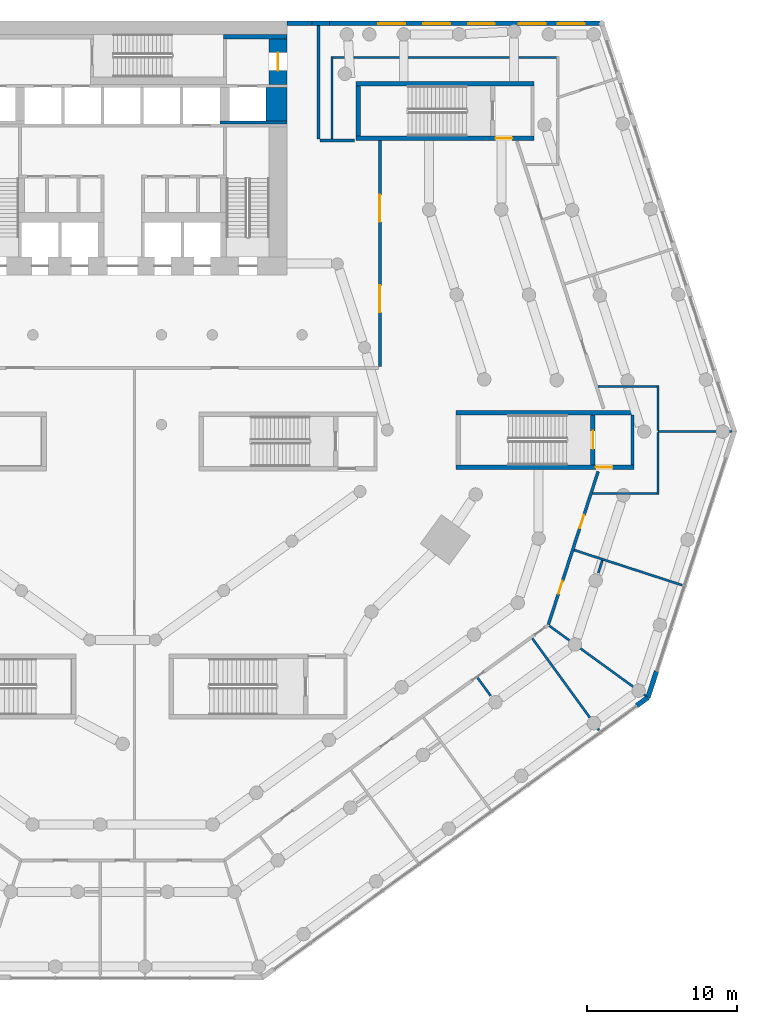
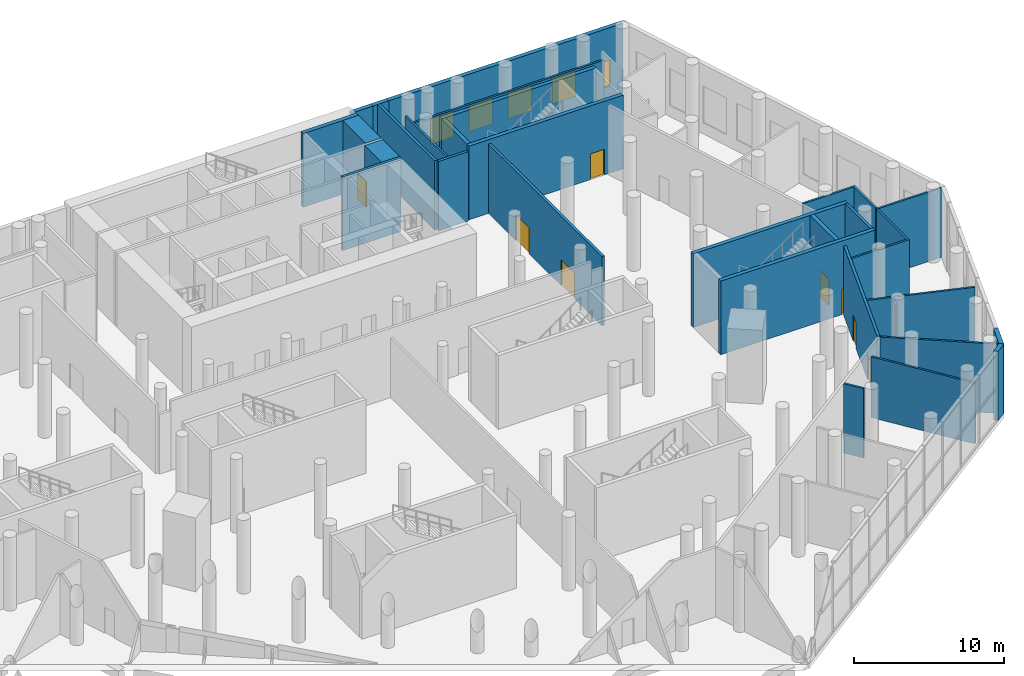
# One storey, part 17 of 23: 32 walls, 8 doors, 5 windows, 13 openings.
"""IFC4 building model written with IfcOpenShell, lengths in metres."""

from ifc_helpers import new_model, si_unit, direction, frame, frame_2d, origin, place, context, subcontext, project, spatial, rectangle, extrude, material, layer, layer_set, type_object, element, fill, save


model = new_model("IFC4")

# Units and contexts
model_context = context("Model", 3, precision=1e-05, world=origin(), true_north=direction((0.0, 1.0)))
body_context = subcontext(model_context, "Body", "Model", "MODEL_VIEW")
ifc_project = project(units=[si_unit("LENGTHUNIT", "METRE"), si_unit("AREAUNIT", "SQUARE_METRE"), si_unit("VOLUMEUNIT", "CUBIC_METRE"), si_unit("PLANEANGLEUNIT", "RADIAN"), si_unit("MASSUNIT", "GRAM", prefix="KILO")], contexts=[model_context])

# Site, building, storey
site_placement = place(None, origin())
site = spatial("IfcSite", under=ifc_project, at=site_placement, CompositionType="ELEMENT")
building_placement = place(site_placement, origin())
building = spatial("IfcBuilding", under=site, at=building_placement, Name="White Candle Pilgrim Tower", CompositionType="ELEMENT")
storey_placement = place(building_placement, frame((0.0, 0.0, 9.0)))
storey = spatial("IfcBuildingStorey", under=building, at=storey_placement, Name="L01", CompositionType="ELEMENT", Elevation=9.0)

# Walls
ifc_material_1 = material(Name="Autoclaved aerated block D500, plastered")
ifc_layer_1 = layer(ifc_material_1, 0.199951171875)
ifc_layer_set_1 = layer_set([ifc_layer_1], Name="Compartment wall 200 mm REI 240")
wall_type_1 = type_object("IfcWallType", Name="Compartment wall 200 mm REI 240", PredefinedType="PARTITIONING", material=ifc_layer_set_1)
wall_1_placement = place(storey_placement, frame((83.10009765625, 87.679931640625, 0.0), z_axis=(0.0, 0.0, 1.0), x_axis=(0.0, -1.0, 0.0)))
element("IfcWall", 1, at=wall_1_placement, inside=storey, type_object=wall_type_1, Name="WL-L01-P005", PredefinedType="PARTITIONING", context=body_context, shape_type="SweptSolid", body=[
    extrude(rectangle(XDim=7.579833984375, YDim=0.199951171875, at=frame_2d((3.7900390625, 0.0))), origin(), (0.0, 0.0, 1.0), 5.64990234375),
])
wall_2_placement = place(storey_placement, frame((83.199951171875, 80.0, 0.0), z_axis=(0.0, 0.0, 1.0), x_axis=(1.0, 0.0, 0.0)))
element("IfcWall", 2, at=wall_2_placement, inside=storey, type_object=wall_type_1, Name="WL-L01-P006", PredefinedType="PARTITIONING", context=body_context, shape_type="SweptSolid", body=[
    extrude(rectangle(XDim=2.301025390625, YDim=0.199951171875, at=frame_2d((1.150390625, 0.0))), origin(), (0.0, 0.0, 1.0), 5.64990234375),
])

# Wall, openings, doors
wall_3_placement = place(storey_placement, frame((87.199951171875, 80.0, 0.0), z_axis=(0.0, 0.0, 1.0), x_axis=(0.0, -1.0, 0.0)))
wall_3 = element("IfcWall", 3, at=wall_3_placement, inside=storey, type_object=wall_type_1, Name="WL-L01-P033", PredefinedType="PARTITIONING", context=body_context, shape_type="SweptSolid", body=[
    extrude(rectangle(XDim=15.125, YDim=0.199951171875, at=frame_2d((7.5625, 0.0))), origin(), (0.0, 0.0, 1.0), 5.64990234375),
])
opening_1_placement = place(wall_3_placement, frame((3.637451171875, 0.0, 0.0)))
opening_1 = element("IfcOpeningElement", 4, at=opening_1_placement, cuts=wall_3, Name="Opening L01-121", PredefinedType="OPENING", context=body_context, shape_type="SweptSolid", body=[
    extrude(rectangle(XDim=1.800048828125, YDim=2.10009765625, at=frame_2d((0.89990234375, 1.050048828125))), frame((0.0, 0.10986328125, 0.0), z_axis=(0.0, -1.0, 0.0), x_axis=(1.0, 0.0, 0.0)), (0.0, 0.0, 1.0), 0.219970703125),
])
opening_2_placement = place(wall_3_placement, frame((9.6875, 0.0, 0.0)))
opening_2 = element("IfcOpeningElement", 5, at=opening_2_placement, cuts=wall_3, Name="Opening L01-122", PredefinedType="OPENING", context=body_context, shape_type="SweptSolid", body=[
    extrude(rectangle(XDim=1.800048828125, YDim=2.10009765625, at=frame_2d((0.89990234375, 1.050048828125))), frame((0.0, 0.10986328125, 0.0), z_axis=(0.0, -1.0, 0.0), x_axis=(1.0, 0.0, 0.0)), (0.0, 0.0, 1.0), 0.219970703125),
])
ifc_material_2 = material(Name="Steel door leaf", Category="steel")
door_type_1 = type_object("IfcDoorType", Name="Compartment door 1800 x 2100 EI 60", OperationType="NOTDEFINED", PredefinedType="DOOR", material=ifc_material_2)
door_1_placement = place(opening_1_placement, frame((1.800048828125, 0.0, 0.0), z_axis=(0.0, 0.0, 1.0), x_axis=(-1.0, 0.0, 0.0)))
door_1 = element("IfcDoor", 6, at=door_1_placement, inside=storey, type_object=door_type_1, Name="Door L01-121", OperationType="DOUBLE_DOOR_SINGLE_SWING", OverallHeight=2.10009765625, OverallWidth=1.800048828125, PredefinedType="DOOR", context=body_context, shape_type="SweptSolid", body=[
    extrude(rectangle(XDim=1.800048828125, YDim=2.10009765625, at=frame_2d((0.89990234375, 1.050048828125))), frame((0.0, 0.02490234375, 0.0), z_axis=(0.0, -1.0, 0.0), x_axis=(1.0, 0.0, 0.0)), (0.0, 0.0, 1.0), 0.050048828125),
])
fill(opening_1, door_1)
door_2_placement = place(opening_2_placement, frame((1.800048828125, 0.0, 0.0), z_axis=(0.0, 0.0, 1.0), x_axis=(-1.0, 0.0, 0.0)))
door_2 = element("IfcDoor", 7, at=door_2_placement, inside=storey, type_object=door_type_1, Name="Door L01-122", OperationType="DOUBLE_DOOR_SINGLE_SWING", OverallHeight=2.10009765625, OverallWidth=1.800048828125, PredefinedType="DOOR", context=body_context, shape_type="SweptSolid", body=[
    extrude(rectangle(XDim=1.800048828125, YDim=2.10009765625, at=frame_2d((0.89990234375, 1.050048828125))), frame((0.0, 0.02490234375, 0.0), z_axis=(0.0, -1.0, 0.0), x_axis=(1.0, 0.0, 0.0)), (0.0, 0.0, 1.0), 0.050048828125),
])
fill(opening_2, door_2)

# Wall, opening, door
ifc_material_3 = material(Name="Concrete C70/85", Category="concrete")
ifc_layer_2 = layer(ifc_material_3, 1.199951171875)
ifc_layer_set_2 = layer_set([ifc_layer_2], Name="Core wall 1200 mm Concrete C70/85")
wall_type_2 = type_object("IfcWallType", Name="Core wall 1200 mm Concrete C70/85", PredefinedType="SHEAR", material=ifc_layer_set_2)
wall_4_placement = place(storey_placement, frame((80.39990234375, 83.75, 0.0), z_axis=(0.0, 0.0, 1.0), x_axis=(0.0, 1.0, 0.0)))
wall_4 = element("IfcWall", 8, at=wall_4_placement, inside=storey, type_object=wall_type_2, Name="WL-L01-C78", PredefinedType="SHEAR", context=body_context, shape_type="SweptSolid", body=[
    extrude(rectangle(XDim=3.050048828125, YDim=1.199951171875, at=frame_2d((1.52490234375, 0.0))), origin(), (0.0, 0.0, 1.0), 6.0),
])
opening_3_placement = place(wall_4_placement, frame((0.925048828125, 0.0, 0.0)))
opening_3 = element("IfcOpeningElement", 9, at=opening_3_placement, cuts=wall_4, Name="Opening L01-006", PredefinedType="OPENING", context=body_context, shape_type="SweptSolid", body=[
    extrude(rectangle(XDim=1.199951171875, YDim=2.10009765625, at=frame_2d((0.60009765625, 1.050048828125))), frame((0.0, 0.60986328125, 0.0), z_axis=(0.0, -1.0, 0.0), x_axis=(1.0, 0.0, 0.0)), (0.0, 0.0, 1.0), 1.219970703125),
])
door_type_2 = type_object("IfcDoorType", Name="Fire door 1200 x 2100 EI 30", OperationType="NOTDEFINED", PredefinedType="DOOR", material=ifc_material_2)
door_3_placement = place(opening_3_placement, origin())
door_3 = element("IfcDoor", 10, at=door_3_placement, inside=storey, type_object=door_type_2, Name="Door L01-006", OperationType="SINGLE_SWING_RIGHT", OverallHeight=2.10009765625, OverallWidth=1.199951171875, PredefinedType="DOOR", context=body_context, shape_type="SweptSolid", body=[
    extrude(rectangle(XDim=1.199951171875, YDim=2.10009765625, at=frame_2d((0.60009765625, 1.050048828125))), frame((0.0, 0.02490234375, 0.0), z_axis=(0.0, -1.0, 0.0), x_axis=(1.0, 0.0, 0.0)), (0.0, 0.0, 1.0), 0.050048828125),
])
fill(opening_3, door_3)

# Walls
ifc_layer_3 = layer(ifc_material_3, 1.39990234375)
ifc_layer_set_3 = layer_set([ifc_layer_3], Name="Core wall 1400 mm Concrete C70/85")
wall_type_3 = type_object("IfcWallType", Name="Core wall 1400 mm Concrete C70/85", PredefinedType="SHEAR", material=ifc_layer_set_3)
wall_5_placement = place(storey_placement, frame((80.300048828125, 81.300048828125, 0.0), z_axis=(0.0, 0.0, 1.0), x_axis=(0.0, 1.0, 0.0)))
element("IfcWall", 11, at=wall_5_placement, inside=storey, type_object=wall_type_3, Name="WL-L01-C72", PredefinedType="SHEAR", context=body_context, shape_type="SweptSolid", body=[
    extrude(rectangle(XDim=2.25, YDim=1.39990234375, at=frame_2d((1.125, 0.0))), origin(), (0.0, 0.0, 1.0), 6.0),
])
ifc_layer_4 = layer(ifc_material_3, 0.199951171875)
ifc_layer_set_4 = layer_set([ifc_layer_4], Name="Core wall 200 mm Concrete C70/85")
wall_type_4 = type_object("IfcWallType", Name="Core wall 200 mm Concrete C70/85", PredefinedType="SHEAR", material=ifc_layer_set_4)
wall_6_placement = place(storey_placement, frame((104.10009765625, 58.300048828125, 0.0), z_axis=(0.0, 0.0, 1.0), x_axis=(0.0, 1.0, 0.0)))
element("IfcWall", 12, at=wall_6_placement, inside=storey, type_object=wall_type_4, Name="WL-L01-C26", PredefinedType="SHEAR", context=body_context, shape_type="SweptSolid", body=[
    extrude(rectangle(XDim=3.349853515625, YDim=0.199951171875, at=frame_2d((1.6748046875, 0.0))), origin(), (0.0, 0.0, 1.0), 6.0),
])
wall_7_placement = place(storey_placement, frame((76.5, 81.199951171875, 0.0), z_axis=(0.0, 0.0, 1.0), x_axis=(1.0, 0.0, 0.0)))
element("IfcWall", 13, at=wall_7_placement, inside=storey, type_object=wall_type_4, Name="WL-L01-C68", PredefinedType="SHEAR", context=body_context, shape_type="SweptSolid", body=[
    extrude(rectangle(XDim=4.5, YDim=0.199951171875, at=frame_2d((2.25, 0.0))), origin(), (0.0, 0.0, 1.0), 6.0),
])

# Wall, openings, doors
ifc_material_4 = material(Name="Gypsum board on steel studs", Category="steel")
ifc_layer_5 = layer(ifc_material_4, 0.199951171875)
ifc_layer_set_5 = layer_set([ifc_layer_5], Name="Corridor wall 200 mm EI 45")
wall_type_5 = type_object("IfcWallType", Name="Corridor wall 200 mm EI 45", PredefinedType="PARTITIONING", material=ifc_layer_set_5)
wall_8_placement = place(storey_placement, frame((101.80078125, 57.869140625, 0.0), z_axis=(0.0, 0.0, 1.0), x_axis=(-0.309028648899, -0.951052729432, 0.0)))
wall_8 = element("IfcWall", 14, at=wall_8_placement, inside=storey, type_object=wall_type_5, Name="WL-L01-P008", PredefinedType="PARTITIONING", context=body_context, shape_type="SweptSolid", body=[
    extrude(rectangle(XDim=10.767333984375, YDim=0.199951171875, at=frame_2d((5.3837890625, 0.0))), origin(), (0.0, 0.0, 1.0), 5.64990234375),
])
opening_4_placement = place(wall_8_placement, frame((7.697998046875, 0.0, 0.0)))
opening_4 = element("IfcOpeningElement", 15, at=opening_4_placement, cuts=wall_8, Name="Opening L01-117", PredefinedType="OPENING", context=body_context, shape_type="SweptSolid", body=[
    extrude(rectangle(XDim=0.89990234375, YDim=2.10009765625, at=frame_2d((0.449951171875, 1.050048828125))), frame((0.0, 0.10986328125, 0.0), z_axis=(0.0, -1.0, 0.0), x_axis=(1.0, 0.0, 0.0)), (0.0, 0.0, 1.0), 0.219970703125),
])
opening_5_placement = place(wall_8_placement, frame((3.0703125, 0.0, 0.0)))
opening_5 = element("IfcOpeningElement", 16, at=opening_5_placement, cuts=wall_8, Name="Opening L01-118", PredefinedType="OPENING", context=body_context, shape_type="SweptSolid", body=[
    extrude(rectangle(XDim=0.89990234375, YDim=2.10009765625, at=frame_2d((0.449951171875, 1.050048828125))), frame((0.0, 0.10986328125, 0.0), z_axis=(0.0, -1.0, 0.0), x_axis=(1.0, 0.0, 0.0)), (0.0, 0.0, 1.0), 0.219970703125),
])
door_type_3 = type_object("IfcDoorType", Name="Fire door 900 x 2100 EI 30", OperationType="NOTDEFINED", PredefinedType="DOOR", material=ifc_material_2)
door_4_placement = place(opening_4_placement, origin())
door_4 = element("IfcDoor", 17, at=door_4_placement, inside=storey, type_object=door_type_3, Name="Door L01-117", OperationType="SINGLE_SWING_LEFT", OverallHeight=2.10009765625, OverallWidth=0.89990234375, PredefinedType="DOOR", context=body_context, shape_type="SweptSolid", body=[
    extrude(rectangle(XDim=0.89990234375, YDim=2.10009765625, at=frame_2d((0.449951171875, 1.050048828125))), frame((0.0, 0.02490234375, 0.0), z_axis=(0.0, -1.0, 0.0), x_axis=(1.0, 0.0, 0.0)), (0.0, 0.0, 1.0), 0.050048828125),
])
fill(opening_4, door_4)
door_5_placement = place(opening_5_placement, origin())
door_5 = element("IfcDoor", 18, at=door_5_placement, inside=storey, type_object=door_type_3, Name="Door L01-118", OperationType="SINGLE_SWING_RIGHT", OverallHeight=2.10009765625, OverallWidth=0.89990234375, PredefinedType="DOOR", context=body_context, shape_type="SweptSolid", body=[
    extrude(rectangle(XDim=0.89990234375, YDim=2.10009765625, at=frame_2d((0.449951171875, 1.050048828125))), frame((0.0, 0.02490234375, 0.0), z_axis=(0.0, -1.0, 0.0), x_axis=(1.0, 0.0, 0.0)), (0.0, 0.0, 1.0), 0.050048828125),
])
fill(opening_5, door_5)

# Walls
ifc_material_5 = material(Name="Precast concrete C40/50", Category="concrete")
ifc_layer_6 = layer(ifc_material_5, 0.320068359375)
ifc_layer_set_6 = layer_set([ifc_layer_6], Name="Facade wall EW3 precast concrete C40/50 and stone-faced podium wall")
wall_type_6 = type_object("IfcWallType", Name="Facade wall EW3 precast concrete C40/50 and stone-faced podium wall", PredefinedType="SOLIDWALL", material=ifc_layer_set_6)
wall_9_placement = place(storey_placement, frame((104.376953125, 42.20361328125, 0.0), z_axis=(0.0, 0.0, 1.0), x_axis=(0.809097681341, 0.587674180179, 0.0)))
element("IfcWall", 19, at=wall_9_placement, inside=storey, type_object=wall_type_6, Name="Facade wall L01 SE", PredefinedType="SOLIDWALL", context=body_context, shape_type="SweptSolid", body=[
    extrude(rectangle(XDim=0.933837890625, YDim=0.320068359375, at=frame_2d((0.466796875, 0.0))), origin(), (0.0, 0.0, 1.0), 5.64990234375),
])
wall_10_placement = place(storey_placement, frame((105.132568359375, 42.75244140625, 0.0), z_axis=(0.0, 0.0, 1.0), x_axis=(0.309017479962, 0.951056358518, 0.0)))
element("IfcWall", 20, at=wall_10_placement, inside=storey, type_object=wall_type_6, Name="Facade wall L01 E chamfer", PredefinedType="SOLIDWALL", context=body_context, shape_type="SweptSolid", body=[
    extrude(rectangle(XDim=1.85107421875, YDim=0.320068359375, at=frame_2d((0.925537109375, 0.0))), origin(), (0.0, 0.0, 1.0), 5.64990234375),
])

# Wall, openings, windows
wall_11_placement = place(storey_placement, frame((101.891357421875, 87.840087890625, 0.0), z_axis=(0.0, 0.0, 1.0), x_axis=(-1.0, 0.0, 0.0)))
wall_11 = element("IfcWall", 21, at=wall_11_placement, inside=storey, type_object=wall_type_6, Name="Facade wall L01 N", PredefinedType="SOLIDWALL", context=body_context, shape_type="SweptSolid", body=[
    extrude(rectangle(XDim=18.040771484375, YDim=0.320068359375, at=frame_2d((9.0205078125, 0.0))), origin(), (0.0, 0.0, 1.0), 5.64990234375),
])
opening_6_placement = place(wall_11_placement, frame((0.9912109375, 0.0, 0.89990234375)))
opening_6 = element("IfcOpeningElement", 22, at=opening_6_placement, cuts=wall_11, Name="Opening W8", PredefinedType="OPENING", context=body_context, shape_type="SweptSolid", body=[
    extrude(rectangle(XDim=1.800048828125, YDim=2.10009765625, at=frame_2d((0.89990234375, 1.050048828125))), frame((0.0, 0.169921875, 0.0), z_axis=(0.0, -1.0, 0.0), x_axis=(1.0, 0.0, 0.0)), (0.0, 0.0, 1.0), 0.340087890625),
])
opening_7_placement = place(wall_11_placement, frame((3.59130859375, 0.0, 0.89990234375)))
opening_7 = element("IfcOpeningElement", 23, at=opening_7_placement, cuts=wall_11, Name="Opening W8", PredefinedType="OPENING", context=body_context, shape_type="SweptSolid", body=[
    extrude(rectangle(XDim=1.800048828125, YDim=2.10009765625, at=frame_2d((0.89990234375, 1.050048828125))), frame((0.0, 0.169921875, 0.0), z_axis=(0.0, -1.0, 0.0), x_axis=(1.0, 0.0, 0.0)), (0.0, 0.0, 1.0), 0.340087890625),
])
opening_8_placement = place(wall_11_placement, frame((6.9912109375, 0.0, 0.89990234375)))
opening_8 = element("IfcOpeningElement", 24, at=opening_8_placement, cuts=wall_11, Name="Opening W8", PredefinedType="OPENING", context=body_context, shape_type="SweptSolid", body=[
    extrude(rectangle(XDim=1.800048828125, YDim=2.10009765625, at=frame_2d((0.89990234375, 1.050048828125))), frame((0.0, 0.169921875, 0.0), z_axis=(0.0, -1.0, 0.0), x_axis=(1.0, 0.0, 0.0)), (0.0, 0.0, 1.0), 0.340087890625),
])
opening_9_placement = place(wall_11_placement, frame((9.9912109375, 0.0, 0.89990234375)))
opening_9 = element("IfcOpeningElement", 25, at=opening_9_placement, cuts=wall_11, Name="Opening W8", PredefinedType="OPENING", context=body_context, shape_type="SweptSolid", body=[
    extrude(rectangle(XDim=1.800048828125, YDim=2.10009765625, at=frame_2d((0.89990234375, 1.050048828125))), frame((0.0, 0.169921875, 0.0), z_axis=(0.0, -1.0, 0.0), x_axis=(1.0, 0.0, 0.0)), (0.0, 0.0, 1.0), 0.340087890625),
])
opening_10_placement = place(wall_11_placement, frame((12.9912109375, 0.0, 0.89990234375)))
opening_10 = element("IfcOpeningElement", 26, at=opening_10_placement, cuts=wall_11, Name="Opening W8", PredefinedType="OPENING", context=body_context, shape_type="SweptSolid", body=[
    extrude(rectangle(XDim=1.800048828125, YDim=2.10009765625, at=frame_2d((0.89990234375, 1.050048828125))), frame((0.0, 0.169921875, 0.0), z_axis=(0.0, -1.0, 0.0), x_axis=(1.0, 0.0, 0.0)), (0.0, 0.0, 1.0), 0.340087890625),
])
ifc_material_6 = material(Name="Timber frame with triple glazing", Category="wood")
window_type = type_object("IfcWindowType", Name="Window W8 1800x2100 timber frame triple glazing", PartitioningType="SINGLE_PANEL", PredefinedType="WINDOW", material=ifc_material_6)
window_1_placement = place(opening_6_placement, origin())
window_1 = element("IfcWindow", 27, at=window_1_placement, inside=storey, type_object=window_type, Name="Window W8 L01 N 1", OverallHeight=2.10009765625, OverallWidth=1.800048828125, PartitioningType="SINGLE_PANEL", PredefinedType="WINDOW", context=body_context, shape_type="SweptSolid", body=[
    extrude(rectangle(XDim=1.800048828125, YDim=2.10009765625, at=frame_2d((0.89990234375, 1.050048828125))), frame((0.0, 0.070068359375, 0.0), z_axis=(0.0, -1.0, 0.0), x_axis=(1.0, 0.0, 0.0)), (0.0, 0.0, 1.0), 0.06005859375),
])
fill(opening_6, window_1)
window_2_placement = place(opening_7_placement, origin())
window_2 = element("IfcWindow", 28, at=window_2_placement, inside=storey, type_object=window_type, Name="Window W8 L01 N 2", OverallHeight=2.10009765625, OverallWidth=1.800048828125, PartitioningType="SINGLE_PANEL", PredefinedType="WINDOW", context=body_context, shape_type="SweptSolid", body=[
    extrude(rectangle(XDim=1.800048828125, YDim=2.10009765625, at=frame_2d((0.89990234375, 1.050048828125))), frame((0.0, 0.070068359375, 0.0), z_axis=(0.0, -1.0, 0.0), x_axis=(1.0, 0.0, 0.0)), (0.0, 0.0, 1.0), 0.06005859375),
])
fill(opening_7, window_2)
window_3_placement = place(opening_8_placement, origin())
window_3 = element("IfcWindow", 29, at=window_3_placement, inside=storey, type_object=window_type, Name="Window W8 L01 N 3", OverallHeight=2.10009765625, OverallWidth=1.800048828125, PartitioningType="SINGLE_PANEL", PredefinedType="WINDOW", context=body_context, shape_type="SweptSolid", body=[
    extrude(rectangle(XDim=1.800048828125, YDim=2.10009765625, at=frame_2d((0.89990234375, 1.050048828125))), frame((0.0, 0.070068359375, 0.0), z_axis=(0.0, -1.0, 0.0), x_axis=(1.0, 0.0, 0.0)), (0.0, 0.0, 1.0), 0.06005859375),
])
fill(opening_8, window_3)
window_4_placement = place(opening_9_placement, origin())
window_4 = element("IfcWindow", 30, at=window_4_placement, inside=storey, type_object=window_type, Name="Window W8 L01 N 4", OverallHeight=2.10009765625, OverallWidth=1.800048828125, PartitioningType="SINGLE_PANEL", PredefinedType="WINDOW", context=body_context, shape_type="SweptSolid", body=[
    extrude(rectangle(XDim=1.800048828125, YDim=2.10009765625, at=frame_2d((0.89990234375, 1.050048828125))), frame((0.0, 0.070068359375, 0.0), z_axis=(0.0, -1.0, 0.0), x_axis=(1.0, 0.0, 0.0)), (0.0, 0.0, 1.0), 0.06005859375),
])
fill(opening_9, window_4)
window_5_placement = place(opening_10_placement, origin())
window_5 = element("IfcWindow", 31, at=window_5_placement, inside=storey, type_object=window_type, Name="Window W8 L01 N 5", OverallHeight=2.10009765625, OverallWidth=1.800048828125, PartitioningType="SINGLE_PANEL", PredefinedType="WINDOW", context=body_context, shape_type="SweptSolid", body=[
    extrude(rectangle(XDim=1.800048828125, YDim=2.10009765625, at=frame_2d((0.89990234375, 1.050048828125))), frame((0.0, 0.070068359375, 0.0), z_axis=(0.0, -1.0, 0.0), x_axis=(1.0, 0.0, 0.0)), (0.0, 0.0, 1.0), 0.06005859375),
])
fill(opening_10, window_5)

# Walls
wall_12_placement = place(storey_placement, frame((82.650390625, 87.840087890625, 0.0), z_axis=(0.0, 0.0, 1.0), x_axis=(-1.0, 0.0, 0.0)))
element("IfcWall", 32, at=wall_12_placement, inside=storey, type_object=wall_type_6, Name="Facade wall L01 N", PredefinedType="SOLIDWALL", context=body_context, shape_type="SweptSolid", body=[
    extrude(rectangle(XDim=1.650390625, YDim=0.320068359375, at=frame_2d((0.8251953125, 0.0))), origin(), (0.0, 0.0, 1.0), 5.64990234375),
])
ifc_layer_7 = layer(ifc_material_5, 0.320068359375)
ifc_layer_set_7 = layer_set([ifc_layer_7], Name="Facade wall EW9 precast concrete C40/50 compartment junction wall EI 120")
wall_type_7 = type_object("IfcWallType", Name="Facade wall EW9 precast concrete C40/50 compartment junction wall EI 120", PredefinedType="SOLIDWALL", material=ifc_layer_set_7)
wall_13_placement = place(storey_placement, frame((83.8505859375, 87.840087890625, 0.0), z_axis=(0.0, 0.0, 1.0), x_axis=(-1.0, 0.0, 0.0)))
element("IfcWall", 33, at=wall_13_placement, inside=storey, type_object=wall_type_7, Name="Facade wall L01 N", PredefinedType="SOLIDWALL", context=body_context, shape_type="SweptSolid", body=[
    extrude(rectangle(XDim=1.2001953125, YDim=0.320068359375, at=frame_2d((0.60009765625, 0.0))), origin(), (0.0, 0.0, 1.0), 5.64990234375),
])
ifc_layer_8 = layer(ifc_material_4, 0.14990234375)
ifc_layer_set_8 = layer_set([ifc_layer_8], Name="Partition 150 mm EI 60")
wall_type_8 = type_object("IfcWallType", Name="Partition 150 mm EI 60", PredefinedType="PARTITIONING", material=ifc_layer_set_8)
wall_14_placement = place(storey_placement, frame((104.99658203125, 42.851318359375, 0.0), z_axis=(0.0, 0.0, 1.0), x_axis=(-0.809022705267, 0.587777391843, 0.0)))
element("IfcWall", 34, at=wall_14_placement, inside=storey, type_object=wall_type_8, Name="WL-L01-P016", PredefinedType="PARTITIONING", context=body_context, shape_type="SweptSolid", body=[
    extrude(rectangle(XDim=7.990234375, YDim=0.14990234375, at=frame_2d((3.9951171875, 0.0))), origin(), (0.0, 0.0, 1.0), 5.64990234375),
])
wall_15_placement = place(storey_placement, frame((110.74365234375, 60.539306640625, 0.0), z_axis=(0.0, 0.0, 1.0), x_axis=(-1.0, 0.0, 0.0)))
element("IfcWall", 35, at=wall_15_placement, inside=storey, type_object=wall_type_8, Name="WL-L01-P017", PredefinedType="PARTITIONING", context=body_context, shape_type="SweptSolid", body=[
    extrude(rectangle(XDim=4.943603515625, YDim=0.14990234375, at=frame_2d((2.4716796875, 0.0))), origin(), (0.0, 0.0, 1.0), 5.64990234375),
])
for number, where, z_axis, x_axis, name in (
    (36, (101.85595703125, 40.569580078125, 0.0), (0.0, 0.0, 1.0), (-0.587800109381, 0.80900619986, 0.0), "WL-L01-P029"),
    (37, (107.406494140625, 50.268798828125, 0.0), (0.0, 0.0, 1.0), (-0.951058681979, 0.309010329007, 0.0), "WL-L01-P030"),
):
    element("IfcWall", number, at=place(storey_placement, frame(where, z_axis=z_axis, x_axis=x_axis)), inside=storey, type_object=wall_type_8, Name=name, PredefinedType="PARTITIONING", context=body_context, shape_type="SweptSolid", body=[
        extrude(rectangle(XDim=7.580078125, YDim=0.14990234375, at=frame_2d((3.7900390625, 0.0))), origin(), (0.0, 0.0, 1.0), 4.949951171875),
    ])
wall_16_placement = place(storey_placement, frame((94.609619140625, 42.869140625, 0.0), z_axis=(0.0, 0.0, 1.0), x_axis=(-0.587813779107, 0.808996267662, 0.0)))
element("IfcWall", 38, at=wall_16_placement, inside=storey, type_object=wall_type_8, Name="WL-L01-P047", PredefinedType="PARTITIONING", context=body_context, shape_type="SweptSolid", body=[
    extrude(rectangle(XDim=1.460205078125, YDim=0.14990234375, at=frame_2d((0.72998046875, 0.0))), origin(), (0.0, 0.0, 1.0), 5.64990234375),
])
wall_17_placement = place(storey_placement, frame((101.80712890625, 51.078125, 0.0), z_axis=(0.0, 0.0, 1.0), x_axis=(0.309023738622, 0.95105432493, 0.0)))
element("IfcWall", 39, at=wall_17_placement, inside=storey, type_object=wall_type_8, Name="WL-L01-P048", PredefinedType="PARTITIONING", context=body_context, shape_type="SweptSolid", body=[
    extrude(rectangle(XDim=0.8857421875, YDim=0.14990234375, at=frame_2d((0.44287109375, 0.0))), origin(), (0.0, 0.0, 1.0), 4.949951171875),
])
wall_18_placement = place(storey_placement, frame((99.159912109375, 85.550048828125, 0.0), z_axis=(0.0, 0.0, 1.0), x_axis=(-1.0, 0.0, 0.0)))
element("IfcWall", 40, at=wall_18_placement, inside=storey, type_object=wall_type_8, Name="WL-L01-P063", PredefinedType="PARTITIONING", context=body_context, shape_type="SweptSolid", body=[
    extrude(rectangle(XDim=15.219970703125, YDim=0.14990234375, at=frame_2d((7.60986328125, 0.0))), origin(), (0.0, 0.0, 1.0), 4.949951171875),
])
wall_19_placement = place(storey_placement, frame((84.0, 85.610107421875, 0.0), z_axis=(0.0, 0.0, 1.0), x_axis=(0.0, -1.0, 0.0)))
element("IfcWall", 41, at=wall_19_placement, inside=storey, type_object=wall_type_8, Name="WL-L01-P064", PredefinedType="PARTITIONING", context=body_context, shape_type="SweptSolid", body=[
    extrude(rectangle(XDim=5.510009765625, YDim=0.14990234375, at=frame_2d((2.7548828125, 0.0))), origin(), (0.0, 0.0, 1.0), 5.64990234375),
])
wall_20_placement = place(storey_placement, frame((105.800048828125, 60.6142578125, 0.0), z_axis=(0.0, 0.0, 1.0), x_axis=(0.0, 1.0, 0.0)))
element("IfcWall", 42, at=wall_20_placement, inside=storey, type_object=wall_type_8, Name="WL-L01-P067", PredefinedType="PARTITIONING", context=body_context, shape_type="SweptSolid", body=[
    extrude(rectangle(XDim=2.995849609375, YDim=0.14990234375, at=frame_2d((1.498046875, 0.0))), origin(), (0.0, 0.0, 1.0), 5.64990234375),
])
wall_21_placement = place(storey_placement, frame((105.860107421875, 63.550048828125, 0.0), z_axis=(0.0, 0.0, 1.0), x_axis=(-1.0, 0.0, 0.0)))
element("IfcWall", 43, at=wall_21_placement, inside=storey, type_object=wall_type_8, Name="WL-L01-P068", PredefinedType="PARTITIONING", context=body_context, shape_type="SweptSolid", body=[
    extrude(rectangle(XDim=4.061767578125, YDim=0.14990234375, at=frame_2d((2.03076171875, 0.0))), origin(), (0.0, 0.0, 1.0), 5.64990234375),
])
wall_22_placement = place(storey_placement, frame((101.431640625, 56.39990234375, 0.0), z_axis=(0.0, 0.0, 1.0), x_axis=(1.0, 0.0, 0.0)))
element("IfcWall", 44, at=wall_22_placement, inside=storey, type_object=wall_type_8, Name="WL-L01-P069", PredefinedType="PARTITIONING", context=body_context, shape_type="SweptSolid", body=[
    extrude(rectangle(XDim=4.428466796875, YDim=0.14990234375, at=frame_2d((2.21435546875, 0.0))), origin(), (0.0, 0.0, 1.0), 5.64990234375),
])
wall_23_placement = place(storey_placement, frame((105.800048828125, 56.340087890625, 0.0), z_axis=(0.0, 0.0, 1.0), x_axis=(0.0, 1.0, 0.0)))
element("IfcWall", 45, at=wall_23_placement, inside=storey, type_object=wall_type_8, Name="WL-L01-P070", PredefinedType="PARTITIONING", context=body_context, shape_type="SweptSolid", body=[
    extrude(rectangle(XDim=4.1240234375, YDim=0.14990234375, at=frame_2d((2.06201171875, 0.0))), origin(), (0.0, 0.0, 1.0), 5.64990234375),
])

# Wall, opening, door
ifc_layer_9 = layer(ifc_material_3, 0.300048828125)
ifc_layer_set_9 = layer_set([ifc_layer_9], Name="Stair shaft wall 300 mm Concrete C70/85")
wall_type_9 = type_object("IfcWallType", Name="Stair shaft wall 300 mm Concrete C70/85", PredefinedType="SHEAR", material=ifc_layer_set_9)
wall_24_placement = place(storey_placement, frame((92.300048828125, 58.14990234375, 0.0), z_axis=(0.0, 0.0, 1.0), x_axis=(1.0, 0.0, 0.0)))
wall_24 = element("IfcWall", 46, at=wall_24_placement, inside=storey, type_object=wall_type_9, Name="WL-L01-C14", PredefinedType="SHEAR", context=body_context, shape_type="SweptSolid", body=[
    extrude(rectangle(XDim=11.89990234375, YDim=0.300048828125, at=frame_2d((5.949951171875, 0.0))), origin(), (0.0, 0.0, 1.0), 6.0),
])
opening_11_placement = place(wall_24_placement, frame((9.35009765625, 0.0, 0.0)))
opening_11 = element("IfcOpeningElement", 47, at=opening_11_placement, cuts=wall_24, Name="Opening L01-017", PredefinedType="OPENING", context=body_context, shape_type="SweptSolid", body=[
    extrude(rectangle(XDim=1.10009765625, YDim=2.10009765625, at=frame_2d((0.550048828125, 1.050048828125))), frame((0.0, 0.159912109375, 0.0), z_axis=(0.0, -1.0, 0.0), x_axis=(1.0, 0.0, 0.0)), (0.0, 0.0, 1.0), 0.320068359375),
])
door_type_4 = type_object("IfcDoorType", Name="Fire door 1100 x 2100 EI 60", OperationType="NOTDEFINED", PredefinedType="DOOR", material=ifc_material_2)
door_6_placement = place(opening_11_placement, origin())
door_6 = element("IfcDoor", 48, at=door_6_placement, inside=storey, type_object=door_type_4, Name="Door L01-017", OperationType="SINGLE_SWING_LEFT", OverallHeight=2.10009765625, OverallWidth=1.10009765625, PredefinedType="DOOR", context=body_context, shape_type="SweptSolid", body=[
    extrude(rectangle(XDim=1.10009765625, YDim=2.10009765625, at=frame_2d((0.550048828125, 1.050048828125))), frame((0.0, 0.02490234375, 0.0), z_axis=(0.0, -1.0, 0.0), x_axis=(1.0, 0.0, 0.0)), (0.0, 0.0, 1.0), 0.050048828125),
])
fill(opening_11, door_6)

wall_25_placement = place(storey_placement, frame((101.449951171875, 58.300048828125, 0.0), z_axis=(0.0, 0.0, 1.0), x_axis=(0.0, 1.0, 0.0)))
wall_25 = element("IfcWall", 49, at=wall_25_placement, inside=storey, type_object=wall_type_9, Name="WL-L01-C25", PredefinedType="SHEAR", context=body_context, shape_type="SweptSolid", body=[
    extrude(rectangle(XDim=3.349853515625, YDim=0.300048828125, at=frame_2d((1.6748046875, 0.0))), origin(), (0.0, 0.0, 1.0), 6.0),
])
opening_12_placement = place(wall_25_placement, frame((1.074951171875, 0.0, 0.0)))
opening_12 = element("IfcOpeningElement", 50, at=opening_12_placement, cuts=wall_25, Name="Opening L01-018", PredefinedType="OPENING", context=body_context, shape_type="SweptSolid", body=[
    extrude(rectangle(XDim=1.199951171875, YDim=2.10009765625, at=frame_2d((0.60009765625, 1.050048828125))), frame((0.0, 0.159912109375, 0.0), z_axis=(0.0, -1.0, 0.0), x_axis=(1.0, 0.0, 0.0)), (0.0, 0.0, 1.0), 0.320068359375),
])
door_type_5 = type_object("IfcDoorType", Name="Fire door 1200 x 2100 EI 60", OperationType="NOTDEFINED", PredefinedType="DOOR", material=ifc_material_2)
door_7_placement = place(opening_12_placement, origin())
door_7 = element("IfcDoor", 51, at=door_7_placement, inside=storey, type_object=door_type_5, Name="Door L01-018", OperationType="SINGLE_SWING_RIGHT", OverallHeight=2.10009765625, OverallWidth=1.199951171875, PredefinedType="DOOR", context=body_context, shape_type="SweptSolid", body=[
    extrude(rectangle(XDim=1.199951171875, YDim=2.10009765625, at=frame_2d((0.60009765625, 1.050048828125))), frame((0.0, 0.02490234375, 0.0), z_axis=(0.0, -1.0, 0.0), x_axis=(1.0, 0.0, 0.0)), (0.0, 0.0, 1.0), 0.050048828125),
])
fill(opening_12, door_7)

# Wall
wall_26_placement = place(storey_placement, frame((92.300048828125, 61.800048828125, 0.0), z_axis=(0.0, 0.0, 1.0), x_axis=(1.0, 0.0, 0.0)))
element("IfcWall", 52, at=wall_26_placement, inside=storey, type_object=wall_type_9, Name="WL-L01-C30", PredefinedType="SHEAR", context=body_context, shape_type="SweptSolid", body=[
    extrude(rectangle(XDim=11.89990234375, YDim=0.300048828125, at=frame_2d((5.949951171875, 0.0))), origin(), (0.0, 0.0, 1.0), 6.0),
])

# Wall, opening, door
wall_27_placement = place(storey_placement, frame((85.60009765625, 80.14990234375, 0.0), z_axis=(0.0, 0.0, 1.0), x_axis=(1.0, 0.0, 0.0)))
wall_27 = element("IfcWall", 53, at=wall_27_placement, inside=storey, type_object=wall_type_9, Name="WL-L01-C55", PredefinedType="SHEAR", context=body_context, shape_type="SweptSolid", body=[
    extrude(rectangle(XDim=11.89990234375, YDim=0.300048828125, at=frame_2d((5.949951171875, 0.0))), origin(), (0.0, 0.0, 1.0), 6.0),
])
opening_13_placement = place(wall_27_placement, frame((9.35009765625, 0.0, 0.0)))
opening_13 = element("IfcOpeningElement", 54, at=opening_13_placement, cuts=wall_27, Name="Opening L01-021", PredefinedType="OPENING", context=body_context, shape_type="SweptSolid", body=[
    extrude(rectangle(XDim=1.10009765625, YDim=2.10009765625, at=frame_2d((0.550048828125, 1.050048828125))), frame((0.0, 0.159912109375, 0.0), z_axis=(0.0, -1.0, 0.0), x_axis=(1.0, 0.0, 0.0)), (0.0, 0.0, 1.0), 0.320068359375),
])
door_8_placement = place(opening_13_placement, origin())
door_8 = element("IfcDoor", 55, at=door_8_placement, inside=storey, type_object=door_type_4, Name="Door L01-021", OperationType="SINGLE_SWING_LEFT", OverallHeight=2.10009765625, OverallWidth=1.10009765625, PredefinedType="DOOR", context=body_context, shape_type="SweptSolid", body=[
    extrude(rectangle(XDim=1.10009765625, YDim=2.10009765625, at=frame_2d((0.550048828125, 1.050048828125))), frame((0.0, 0.02490234375, 0.0), z_axis=(0.0, -1.0, 0.0), x_axis=(1.0, 0.0, 0.0)), (0.0, 0.0, 1.0), 0.050048828125),
])
fill(opening_13, door_8)

# Walls
wall_28_placement = place(storey_placement, frame((85.75, 80.300048828125, 0.0), z_axis=(0.0, 0.0, 1.0), x_axis=(0.0, 1.0, 0.0)))
element("IfcWall", 56, at=wall_28_placement, inside=storey, type_object=wall_type_9, Name="WL-L01-C59", PredefinedType="SHEAR", context=body_context, shape_type="SweptSolid", body=[
    extrude(rectangle(XDim=3.349853515625, YDim=0.300048828125, at=frame_2d((1.6748046875, 0.0))), origin(), (0.0, 0.0, 1.0), 6.0),
])
wall_29_placement = place(storey_placement, frame((85.60009765625, 83.800048828125, 0.0), z_axis=(0.0, 0.0, 1.0), x_axis=(1.0, 0.0, 0.0)))
element("IfcWall", 57, at=wall_29_placement, inside=storey, type_object=wall_type_9, Name="WL-L01-C75", PredefinedType="SHEAR", context=body_context, shape_type="SweptSolid", body=[
    extrude(rectangle(XDim=11.89990234375, YDim=0.300048828125, at=frame_2d((5.949951171875, 0.0))), origin(), (0.0, 0.0, 1.0), 6.0),
])
wall_30_placement = place(storey_placement, frame((76.75, 86.949951171875, 0.0), z_axis=(0.0, 0.0, 1.0), x_axis=(1.0, 0.0, 0.0)))
element("IfcWall", 58, at=wall_30_placement, inside=storey, type_object=wall_type_9, Name="WL-L01-C82", PredefinedType="SHEAR", context=body_context, shape_type="SweptSolid", body=[
    extrude(rectangle(XDim=4.25, YDim=0.300048828125, at=frame_2d((2.125, 0.0))), origin(), (0.0, 0.0, 1.0), 6.0),
])

save(model, "model.ifc")
